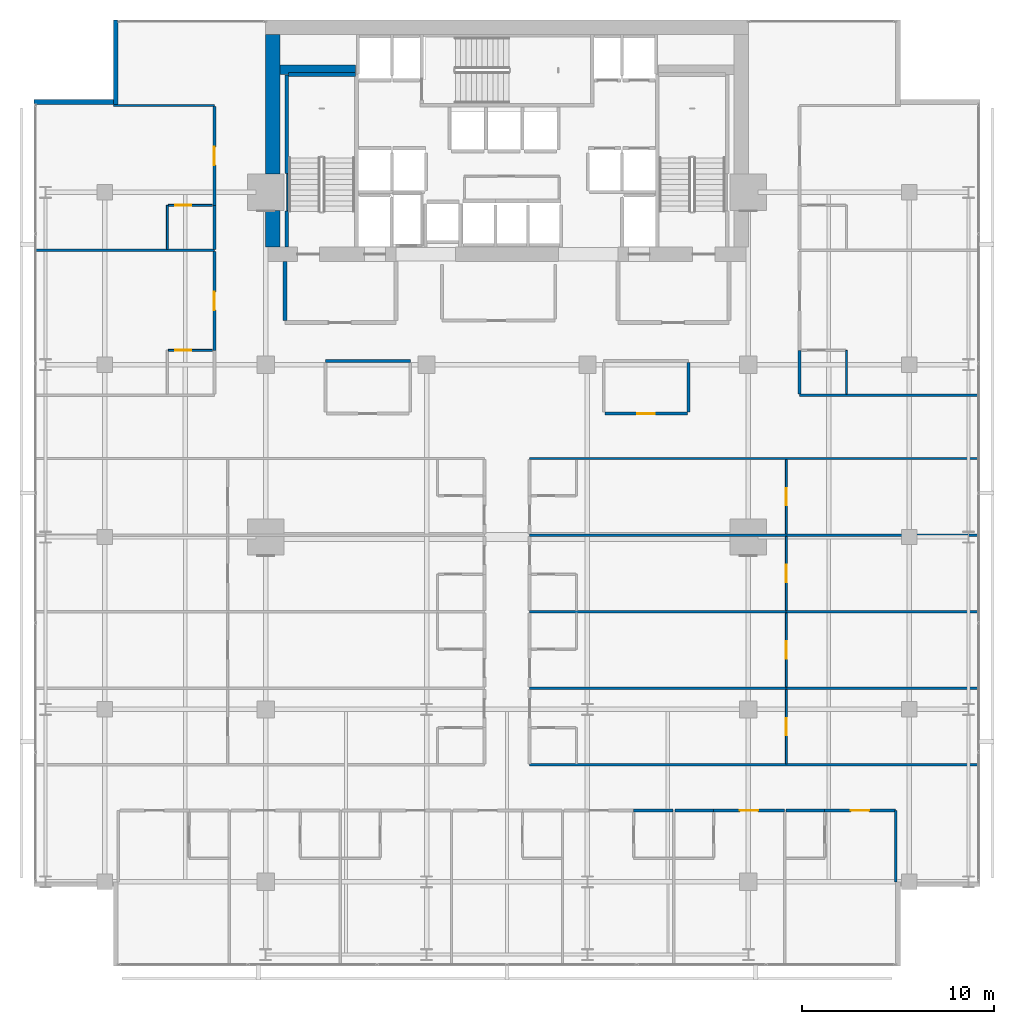
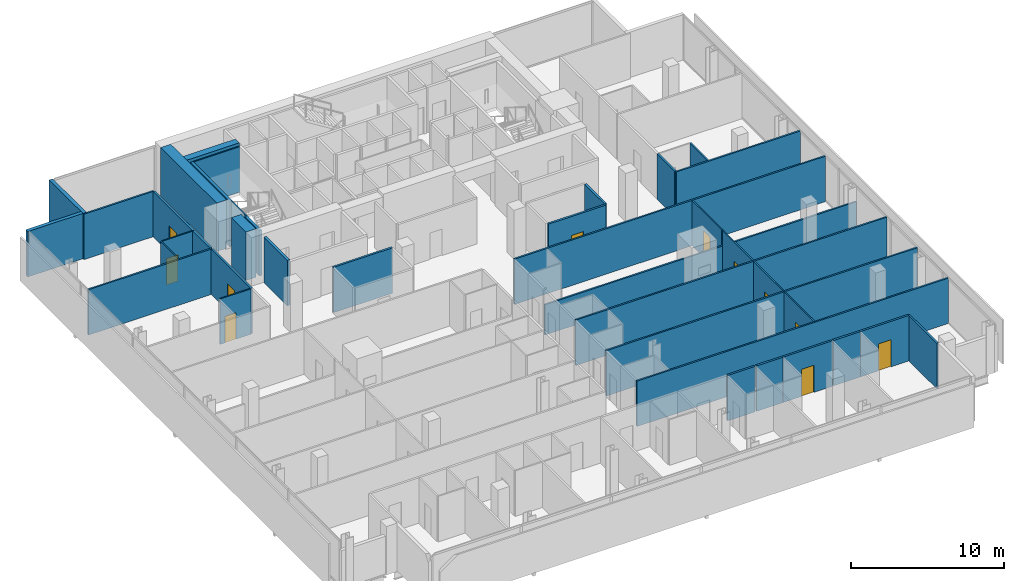
# One storey, part 29 of 34: 39 walls, 11 doors, 11 openings.
"""IFC4 building model written with IfcOpenShell, lengths in metres."""

from ifc_helpers import new_model, si_unit, direction, frame, frame_2d, origin, place, context, subcontext, project, spatial, rectangle, extrude, material, layer, layer_set, type_object, element, fill, save


model = new_model("IFC4")

# Units and contexts
model_context = context("Model", 3, precision=1e-05, world=origin(), true_north=direction((0.0, 1.0)))
body_context = subcontext(model_context, "Body", "Model", "MODEL_VIEW")
ifc_project = project(units=[si_unit("LENGTHUNIT", "METRE"), si_unit("AREAUNIT", "SQUARE_METRE"), si_unit("VOLUMEUNIT", "CUBIC_METRE"), si_unit("PLANEANGLEUNIT", "RADIAN"), si_unit("MASSUNIT", "GRAM", prefix="KILO")], contexts=[model_context])

# Site, building, storey
site_placement = place(None, origin())
site = spatial("IfcSite", under=ifc_project, at=site_placement, CompositionType="ELEMENT")
building_placement = place(site_placement, origin())
building = spatial("IfcBuilding", under=site, at=building_placement, Name="Maruvema Waterfront Hotel and Observation Tower", CompositionType="ELEMENT")
storey_placement = place(building_placement, frame((0.0, 0.0, 127.39990234375)))
storey = spatial("IfcBuildingStorey", under=building, at=storey_placement, Name="L30", CompositionType="ELEMENT", Elevation=127.39990234375)

# Walls
ifc_material_1 = material(Name="Twin-stud acoustic gypsum drywall", Category="gypsum")
ifc_layer_1 = layer(ifc_material_1, 0.14990234375, Name="Acoustic Corridor and Suite Demising Wall 150 mm")
ifc_layer_set_1 = layer_set([ifc_layer_1], Name="Twin-stud acoustic gypsum drywall")
wall_type_1 = type_object("IfcWallType", Name="Acoustic Corridor and Suite Demising Wall 150 mm", PredefinedType="PARTITIONING", material=ifc_layer_set_1)
wall_1_placement = place(storey_placement, frame((28.320068359375, 36.199951171875, 0.0), z_axis=(0.0, 0.0, 1.0), x_axis=(1.0, 0.0, 0.0)))
element("IfcWall", 1, at=wall_1_placement, inside=storey, type_object=wall_type_1, Name="L30 L30-M1 Back Wall 016", PredefinedType="PARTITIONING", context=body_context, shape_type="SweptSolid", body=[
    extrude(rectangle(XDim=4.429931640625, YDim=0.14990234375, at=frame_2d((2.21484375, 0.0))), origin(), (0.0, 0.0, 1.0), 3.610107421875),
])
wall_2_placement = place(storey_placement, frame((47.280029296875, 33.530029296875, 0.0), z_axis=(0.0, 0.0, 1.0), x_axis=(0.0, 1.0, 0.0)))
element("IfcWall", 2, at=wall_2_placement, inside=storey, type_object=wall_type_1, Name="L30 L30-M2 East Wall 022", PredefinedType="PARTITIONING", context=body_context, shape_type="SweptSolid", body=[
    extrude(rectangle(XDim=2.590087890625, YDim=0.14990234375, at=frame_2d((1.294921875, 0.0))), origin(), (0.0, 0.0, 1.0), 3.610107421875),
])

# Wall, opening, door
wall_3_placement = place(storey_placement, frame((42.909912109375, 33.449951171875, 0.0), z_axis=(0.0, 0.0, 1.0), x_axis=(1.0, 0.0, 0.0)))
wall_3 = element("IfcWall", 3, at=wall_3_placement, inside=storey, type_object=wall_type_1, Name="L30 L30-M2 Front 1 023", PredefinedType="PARTITIONING", context=body_context, shape_type="SweptSolid", body=[
    extrude(rectangle(XDim=4.31005859375, YDim=0.14990234375, at=frame_2d((2.155029296875, 0.0))), origin(), (0.0, 0.0, 1.0), 3.610107421875),
])
opening_1_placement = place(wall_3_placement, frame((1.705078125, 0.0, 0.0)))
opening_1 = element("IfcOpeningElement", 4, at=opening_1_placement, cuts=wall_3, Name="Opening DR-090", PredefinedType="OPENING", context=body_context, shape_type="SweptSolid", body=[
    extrude(rectangle(XDim=0.89990234375, YDim=2.10009765625, at=frame_2d((0.449951171875, 1.050048828125))), frame((0.0, 0.0849609375, 0.0), z_axis=(0.0, -1.0, 0.0), x_axis=(1.0, 0.0, 0.0)), (0.0, 0.0, 1.0), 0.169921875),
])
ifc_material_2 = material(Name="Solid-core lacquered timber leaf", Category="wood")
door_type_1 = type_object("IfcDoorType", Name="Accessible Toilet and Room Door 900x2100 mm", OperationType="NOTDEFINED", PredefinedType="DOOR", material=ifc_material_2)
door_1_placement = place(opening_1_placement, frame((0.89990234375, 0.0, 0.0), z_axis=(0.0, 0.0, 1.0), x_axis=(-1.0, 0.0, 0.0)))
door_1 = element("IfcDoor", 5, at=door_1_placement, inside=storey, type_object=door_type_1, Name="L30 Business Office 1 Door", OperationType="SINGLE_SWING_RIGHT", OverallHeight=2.10009765625, OverallWidth=0.89990234375, PredefinedType="DOOR", context=body_context, shape_type="SweptSolid", body=[
    extrude(rectangle(XDim=0.89990234375, YDim=2.10009765625, at=frame_2d((0.449951171875, 1.050048828125))), frame((0.0, 0.02490234375, 0.0), z_axis=(0.0, -1.0, 0.0), x_axis=(1.0, 0.0, 0.0)), (0.0, 0.0, 1.0), 0.050048828125),
])
fill(opening_1, door_1)

# Walls
wall_4_placement = place(storey_placement, frame((44.409912109375, 12.719970703125, 0.0), z_axis=(0.0, 0.0, 1.0), x_axis=(1.0, 0.0, 0.0)))
element("IfcWall", 6, at=wall_4_placement, inside=storey, type_object=wall_type_1, Name="L30 Bath L30-S5 Back Wall 046", PredefinedType="PARTITIONING", context=body_context, shape_type="SweptSolid", body=[
    extrude(rectangle(XDim=2.070068359375, YDim=0.14990234375, at=frame_2d((1.03515625, 0.0))), origin(), (0.0, 0.0, 1.0), 3.610107421875),
])
wall_5_placement = place(storey_placement, frame((46.580078125, 12.719970703125, 0.0), z_axis=(0.0, 0.0, 1.0), x_axis=(1.0, 0.0, 0.0)))
element("IfcWall", 7, at=wall_5_placement, inside=storey, type_object=wall_type_1, Name="L30 Bath L30-S6 Back Wall 051", PredefinedType="PARTITIONING", context=body_context, shape_type="SweptSolid", body=[
    extrude(rectangle(XDim=2.010009765625, YDim=0.14990234375, at=frame_2d((1.0048828125, 0.0))), origin(), (0.0, 0.0, 1.0), 3.610107421875),
])

# Wall, opening, door
wall_6_placement = place(storey_placement, frame((48.590087890625, 12.719970703125, 0.0), z_axis=(0.0, 0.0, 1.0), x_axis=(1.0, 0.0, 0.0)))
wall_6 = element("IfcWall", 8, at=wall_6_placement, inside=storey, type_object=wall_type_1, Name="L30 Unit L30-S6 Corridor Wall 054", PredefinedType="PARTITIONING", context=body_context, shape_type="SweptSolid", body=[
    extrude(rectangle(XDim=3.68994140625, YDim=0.14990234375, at=frame_2d((1.844970703125, 0.0))), origin(), (0.0, 0.0, 1.0), 3.610107421875),
])
opening_2_placement = place(wall_6_placement, frame((1.3701171875, 0.0, 0.0)))
opening_2 = element("IfcOpeningElement", 9, at=opening_2_placement, cuts=wall_6, Name="Opening DR-095", PredefinedType="OPENING", context=body_context, shape_type="SweptSolid", body=[
    extrude(rectangle(XDim=0.949951171875, YDim=2.14990234375, at=frame_2d((0.47509765625, 1.074951171875))), frame((0.0, 0.0849609375, 0.0), z_axis=(0.0, -1.0, 0.0), x_axis=(1.0, 0.0, 0.0)), (0.0, 0.0, 1.0), 0.169921875),
])
ifc_material_3 = material(Name="Acoustic solid-core hardwood timber leaf", Category="wood")
door_type_2 = type_object("IfcDoorType", Name="Guestroom Entrance Fire Door 950x2150 mm", OperationType="NOTDEFINED", PredefinedType="DOOR", material=ifc_material_3)
door_2_placement = place(opening_2_placement, frame((0.949951171875, 0.0, 0.0), z_axis=(0.0, 0.0, 1.0), x_axis=(-1.0, 0.0, 0.0)))
door_2 = element("IfcDoor", 10, at=door_2_placement, inside=storey, type_object=door_type_2, Name="L30 Unit L30-S6 Entrance Door", OperationType="SINGLE_SWING_RIGHT", OverallHeight=2.14990234375, OverallWidth=0.949951171875, PredefinedType="DOOR", context=body_context, shape_type="SweptSolid", body=[
    extrude(rectangle(XDim=0.949951171875, YDim=2.14990234375, at=frame_2d((0.47509765625, 1.074951171875))), frame((0.0, 0.02490234375, 0.0), z_axis=(0.0, -1.0, 0.0), x_axis=(1.0, 0.0, 0.0)), (0.0, 0.0, 1.0), 0.050048828125),
])
fill(opening_2, door_2)

# Wall
wall_7_placement = place(storey_placement, frame((52.3798828125, 12.719970703125, 0.0), z_axis=(0.0, 0.0, 1.0), x_axis=(1.0, 0.0, 0.0)))
element("IfcWall", 11, at=wall_7_placement, inside=storey, type_object=wall_type_1, Name="L30 Bath L30-S7 Back Wall 056", PredefinedType="PARTITIONING", context=body_context, shape_type="SweptSolid", body=[
    extrude(rectangle(XDim=2.010009765625, YDim=0.14990234375, at=frame_2d((1.0048828125, 0.0))), origin(), (0.0, 0.0, 1.0), 3.610107421875),
])

# Wall, opening, door
wall_8_placement = place(storey_placement, frame((54.389892578125, 12.719970703125, 0.0), z_axis=(0.0, 0.0, 1.0), x_axis=(1.0, 0.0, 0.0)))
wall_8 = element("IfcWall", 12, at=wall_8_placement, inside=storey, type_object=wall_type_1, Name="L30 Unit L30-S7 Corridor Wall 059", PredefinedType="PARTITIONING", context=body_context, shape_type="SweptSolid", body=[
    extrude(rectangle(XDim=3.690185546875, YDim=0.14990234375, at=frame_2d((1.84521484375, 0.0))), origin(), (0.0, 0.0, 1.0), 3.610107421875),
])
opening_3_placement = place(wall_8_placement, frame((1.3701171875, 0.0, 0.0)))
opening_3 = element("IfcOpeningElement", 13, at=opening_3_placement, cuts=wall_8, Name="Opening DR-095", PredefinedType="OPENING", context=body_context, shape_type="SweptSolid", body=[
    extrude(rectangle(XDim=0.949951171875, YDim=2.14990234375, at=frame_2d((0.47509765625, 1.074951171875))), frame((0.0, 0.0849609375, 0.0), z_axis=(0.0, -1.0, 0.0), x_axis=(1.0, 0.0, 0.0)), (0.0, 0.0, 1.0), 0.169921875),
])
door_3_placement = place(opening_3_placement, frame((0.949951171875, 0.0, 0.0), z_axis=(0.0, 0.0, 1.0), x_axis=(-1.0, 0.0, 0.0)))
door_3 = element("IfcDoor", 14, at=door_3_placement, inside=storey, type_object=door_type_2, Name="L30 Unit L30-S7 Entrance Door", OperationType="SINGLE_SWING_RIGHT", OverallHeight=2.14990234375, OverallWidth=0.949951171875, PredefinedType="DOOR", context=body_context, shape_type="SweptSolid", body=[
    extrude(rectangle(XDim=0.949951171875, YDim=2.14990234375, at=frame_2d((0.47509765625, 1.074951171875))), frame((0.0, 0.02490234375, 0.0), z_axis=(0.0, -1.0, 0.0), x_axis=(1.0, 0.0, 0.0)), (0.0, 0.0, 1.0), 0.050048828125),
])
fill(opening_3, door_3)

wall_9_placement = place(storey_placement, frame((22.52001953125, 36.75, 0.0), z_axis=(0.0, 0.0, 1.0), x_axis=(0.0, 1.0, 0.0)))
wall_9 = element("IfcWall", 15, at=wall_9_placement, inside=storey, type_object=wall_type_1, Name="L30 Room L30-NW1 Corridor Wall 115", PredefinedType="PARTITIONING", context=body_context, shape_type="SweptSolid", body=[
    extrude(rectangle(XDim=5.15869140625, YDim=0.14990234375, at=frame_2d((2.579345703125, 0.0))), origin(), (0.0, 0.0, 1.0), 3.610107421875),
])
opening_4_placement = place(wall_9_placement, frame((2.1044921875, 0.0, 0.0)))
opening_4 = element("IfcOpeningElement", 16, at=opening_4_placement, cuts=wall_9, Name="Opening DR-095", PredefinedType="OPENING", context=body_context, shape_type="SweptSolid", body=[
    extrude(rectangle(XDim=0.949951171875, YDim=2.14990234375, at=frame_2d((0.47509765625, 1.074951171875))), frame((0.0, 0.0849609375, 0.0), z_axis=(0.0, -1.0, 0.0), x_axis=(1.0, 0.0, 0.0)), (0.0, 0.0, 1.0), 0.169921875),
])
door_4_placement = place(opening_4_placement, origin())
door_4 = element("IfcDoor", 17, at=door_4_placement, inside=storey, type_object=door_type_2, Name="L30 Room L30-NW1 Entrance Door", OperationType="SINGLE_SWING_RIGHT", OverallHeight=2.14990234375, OverallWidth=0.949951171875, PredefinedType="DOOR", context=body_context, shape_type="SweptSolid", body=[
    extrude(rectangle(XDim=0.949951171875, YDim=2.14990234375, at=frame_2d((0.47509765625, 1.074951171875))), frame((0.0, 0.02490234375, 0.0), z_axis=(0.0, -1.0, 0.0), x_axis=(1.0, 0.0, 0.0)), (0.0, 0.0, 1.0), 0.050048828125),
])
fill(opening_4, door_4)

# Walls
for number, where, z_axis, x_axis, name in (
    (18, (53.080078125, 34.4599609375, 0.0), (0.0, 0.0, 1.0), (0.0, 1.0, 0.0), "L30 Bath L30-NE1 Wall 118"),
    (19, (22.52001953125, 42.02880859375, 0.0), (0.0, 0.0, 1.0), (0.0, 1.0, 0.0), "L30 Bath L30-NW2 Wall 124"),
):
    element("IfcWall", number, at=place(storey_placement, frame(where, z_axis=z_axis, x_axis=x_axis)), inside=storey, type_object=wall_type_1, Name=name, PredefinedType="PARTITIONING", context=body_context, shape_type="SweptSolid", body=[
        extrude(rectangle(XDim=2.2900390625, YDim=0.14990234375, at=frame_2d((1.14501953125, 0.0))), origin(), (0.0, 0.0, 1.0), 3.610107421875),
    ])

# Wall, opening, door
wall_10_placement = place(storey_placement, frame((22.52001953125, 44.31884765625, 0.0), z_axis=(0.0, 0.0, 1.0), x_axis=(0.0, 1.0, 0.0)))
wall_10 = element("IfcWall", 20, at=wall_10_placement, inside=storey, type_object=wall_type_1, Name="L30 Room L30-NW2 Corridor Wall 125", PredefinedType="PARTITIONING", context=body_context, shape_type="SweptSolid", body=[
    extrude(rectangle(XDim=5.15869140625, YDim=0.14990234375, at=frame_2d((2.579345703125, 0.0))), origin(), (0.0, 0.0, 1.0), 3.610107421875),
])
opening_5_placement = place(wall_10_placement, frame((2.104248046875, 0.0, 0.0)))
opening_5 = element("IfcOpeningElement", 21, at=opening_5_placement, cuts=wall_10, Name="Opening DR-095", PredefinedType="OPENING", context=body_context, shape_type="SweptSolid", body=[
    extrude(rectangle(XDim=0.949951171875, YDim=2.14990234375, at=frame_2d((0.47509765625, 1.074951171875))), frame((0.0, 0.0849609375, 0.0), z_axis=(0.0, -1.0, 0.0), x_axis=(1.0, 0.0, 0.0)), (0.0, 0.0, 1.0), 0.169921875),
])
door_5_placement = place(opening_5_placement, origin())
door_5 = element("IfcDoor", 22, at=door_5_placement, inside=storey, type_object=door_type_2, Name="L30 Room L30-NW2 Entrance Door", OperationType="SINGLE_SWING_RIGHT", OverallHeight=2.14990234375, OverallWidth=0.949951171875, PredefinedType="DOOR", context=body_context, shape_type="SweptSolid", body=[
    extrude(rectangle(XDim=0.949951171875, YDim=2.14990234375, at=frame_2d((0.47509765625, 1.074951171875))), frame((0.0, 0.02490234375, 0.0), z_axis=(0.0, -1.0, 0.0), x_axis=(1.0, 0.0, 0.0)), (0.0, 0.0, 1.0), 0.050048828125),
])
fill(opening_5, door_5)

# Walls
ifc_material_4 = material(Name="Precast concrete C45/55", Category="concrete")
ifc_layer_2 = layer(ifc_material_4, 0.199951171875, Name="Core Shaft and Stairwell Enclosure Wall 200 mm")
ifc_layer_set_2 = layer_set([ifc_layer_2], Name="Precast concrete C45/55")
wall_type_2 = type_object("IfcWallType", Name="Core Shaft and Stairwell Enclosure Wall 200 mm", PredefinedType="SOLIDWALL", material=ifc_layer_set_2)
wall_11_placement = place(storey_placement, frame((26.300048828125, 42.14990234375, 0.0), z_axis=(0.0, 0.0, 1.0), x_axis=(0.0, 1.0, 0.0)))
element("IfcWall", 23, at=wall_11_placement, inside=storey, type_object=wall_type_2, Name="L30 Stairwell ST-01 Shaft Lining Wall", PredefinedType="SOLIDWALL", context=body_context, shape_type="SweptSolid", body=[
    extrude(rectangle(XDim=1.8701171875, YDim=0.199951171875, at=frame_2d((0.93505859375, 0.0))), origin(), (0.0, 0.0, 1.0), 3.610107421875),
])
wall_12_placement = place(storey_placement, frame((26.300048828125, 45.97998046875, 0.0), z_axis=(0.0, 0.0, 1.0), x_axis=(0.0, 1.0, 0.0)))
element("IfcWall", 24, at=wall_12_placement, inside=storey, type_object=wall_type_2, Name="L30 Stairwell ST-01 Shaft Lining Wall", PredefinedType="SOLIDWALL", context=body_context, shape_type="SweptSolid", body=[
    extrude(rectangle(XDim=5.14013671875, YDim=0.199951171875, at=frame_2d((2.570068359375, 0.0))), origin(), (0.0, 0.0, 1.0), 3.610107421875),
])
wall_13_placement = place(storey_placement, frame((26.3798828125, 51.14990234375, 0.0), z_axis=(0.0, 0.0, 1.0), x_axis=(1.0, 0.0, 0.0)))
element("IfcWall", 25, at=wall_13_placement, inside=storey, type_object=wall_type_2, Name="L30 Stairwell ST-01 Shaft Lining Wall", PredefinedType="SOLIDWALL", context=body_context, shape_type="SweptSolid", body=[
    extrude(rectangle(XDim=3.5, YDim=0.199951171875, at=frame_2d((1.75, 0.0))), origin(), (0.0, 0.0, 1.0), 3.610107421875),
])
ifc_material_5 = material(Name="Concrete C70/85", Category="concrete")
ifc_layer_3 = layer(ifc_material_5, 0.5, Name="Core Shear Wall 500 mm")
ifc_layer_set_3 = layer_set([ifc_layer_3], Name="Concrete C70/85")
wall_type_3 = type_object("IfcWallType", Name="Core Shear Wall 500 mm", PredefinedType="SHEAR", material=ifc_layer_set_3)
wall_14_placement = place(storey_placement, frame((25.949951171875, 51.39990234375, 0.0), z_axis=(0.0, 0.0, 1.0), x_axis=(1.0, 0.0, 0.0)))
element("IfcWall", 26, at=wall_14_placement, inside=storey, type_object=wall_type_3, Name="L30 Internal Core Shear Wall NW 500 mm", PredefinedType="SHEAR", context=body_context, shape_type="SweptSolid", body=[
    extrude(rectangle(XDim=3.949951171875, YDim=0.5, at=frame_2d((1.97509765625, 0.0))), origin(), (0.0, 0.0, 1.0), 3.85009765625),
])
ifc_material_6 = material(Name="Concrete C70/85", Category="concrete")
ifc_layer_4 = layer(ifc_material_6, 0.75, Name="Core Shear Wall 750 mm")
ifc_layer_set_4 = layer_set([ifc_layer_4], Name="Concrete C70/85")
wall_type_4 = type_object("IfcWallType", Name="Core Shear Wall 750 mm", PredefinedType="SHEAR", material=ifc_layer_set_4)
wall_15_placement = place(storey_placement, frame((25.574951171875, 42.14990234375, 0.0), z_axis=(0.0, 0.0, 1.0), x_axis=(0.0, 1.0, 0.0)))
element("IfcWall", 27, at=wall_15_placement, inside=storey, type_object=wall_type_4, Name="L30 West-South Core Shear Wall", PredefinedType="SHEAR", context=body_context, shape_type="SweptSolid", body=[
    extrude(rectangle(XDim=1.900146484375, YDim=0.75, at=frame_2d((0.9501953125, 0.0))), origin(), (0.0, 0.0, 1.0), 3.85009765625),
])
wall_16_placement = place(storey_placement, frame((25.574951171875, 45.949951171875, 0.0), z_axis=(0.0, 0.0, 1.0), x_axis=(0.0, 1.0, 0.0)))
element("IfcWall", 28, at=wall_16_placement, inside=storey, type_object=wall_type_4, Name="L30 West-North Core Shear Wall", PredefinedType="SHEAR", context=body_context, shape_type="SweptSolid", body=[
    extrude(rectangle(XDim=7.300048828125, YDim=0.75, at=frame_2d((3.64990234375, 0.0))), origin(), (0.0, 0.0, 1.0), 3.85009765625),
])

# Wall, opening, door
ifc_material_7 = material(Name="Moisture-resistant cement-board drywall", Category="gypsum")
ifc_layer_5 = layer(ifc_material_7, 0.10009765625, Name="En-Suite Moisture-Resistant Partition 100 mm")
ifc_layer_set_5 = layer_set([ifc_layer_5], Name="Moisture-resistant cement-board drywall")
wall_type_5 = type_object("IfcWallType", Name="En-Suite Moisture-Resistant Partition 100 mm", PredefinedType="PARTITIONING", material=ifc_layer_set_5)
wall_17_placement = place(storey_placement, frame((52.386474609375, 15.159912109375, 0.0), z_axis=(0.0, 0.0, 1.0), x_axis=(0.0, 1.0, 0.0)))
wall_17 = element("IfcWall", 29, at=wall_17_placement, inside=storey, type_object=wall_type_5, Name="L30 Suite L30-E1 Split 073", PredefinedType="PARTITIONING", context=body_context, shape_type="SweptSolid", body=[
    extrude(rectangle(XDim=3.880126953125, YDim=0.10009765625, at=frame_2d((1.93994140625, 0.0))), origin(), (0.0, 0.0, 1.0), 3.610107421875),
])
opening_6_placement = place(wall_17_placement, frame((1.489990234375, 0.0, 0.0)))
opening_6 = element("IfcOpeningElement", 30, at=opening_6_placement, cuts=wall_17, Name="Opening DR-090", PredefinedType="OPENING", context=body_context, shape_type="SweptSolid", body=[
    extrude(rectangle(XDim=0.89990234375, YDim=2.10009765625, at=frame_2d((0.449951171875, 1.050048828125))), frame((0.0, 0.06005859375, 0.0), z_axis=(0.0, -1.0, 0.0), x_axis=(1.0, 0.0, 0.0)), (0.0, 0.0, 1.0), 0.1201171875),
])
door_6_placement = place(opening_6_placement, frame((0.89990234375, 0.0, 0.0), z_axis=(0.0, 0.0, 1.0), x_axis=(-1.0, 0.0, 0.0)))
door_6 = element("IfcDoor", 31, at=door_6_placement, inside=storey, type_object=door_type_1, Name="L30 Suite L30-E1 Bedroom Door", OperationType="SINGLE_SWING_RIGHT", OverallHeight=2.10009765625, OverallWidth=0.89990234375, PredefinedType="DOOR", context=body_context, shape_type="SweptSolid", body=[
    extrude(rectangle(XDim=0.89990234375, YDim=2.10009765625, at=frame_2d((0.449951171875, 1.050048828125))), frame((0.0, 0.02490234375, 0.0), z_axis=(0.0, -1.0, 0.0), x_axis=(1.0, 0.0, 0.0)), (0.0, 0.0, 1.0), 0.050048828125),
])
fill(opening_6, door_6)

wall_18_placement = place(storey_placement, frame((52.386474609375, 19.159912109375, 0.0), z_axis=(0.0, 0.0, 1.0), x_axis=(0.0, 1.0, 0.0)))
wall_18 = element("IfcWall", 32, at=wall_18_placement, inside=storey, type_object=wall_type_5, Name="L30 Suite L30-E2 Split 085", PredefinedType="PARTITIONING", context=body_context, shape_type="SweptSolid", body=[
    extrude(rectangle(XDim=3.880126953125, YDim=0.10009765625, at=frame_2d((1.93994140625, 0.0))), origin(), (0.0, 0.0, 1.0), 3.610107421875),
])
opening_7_placement = place(wall_18_placement, frame((1.489990234375, 0.0, 0.0)))
opening_7 = element("IfcOpeningElement", 33, at=opening_7_placement, cuts=wall_18, Name="Opening DR-090", PredefinedType="OPENING", context=body_context, shape_type="SweptSolid", body=[
    extrude(rectangle(XDim=0.89990234375, YDim=2.10009765625, at=frame_2d((0.449951171875, 1.050048828125))), frame((0.0, 0.06005859375, 0.0), z_axis=(0.0, -1.0, 0.0), x_axis=(1.0, 0.0, 0.0)), (0.0, 0.0, 1.0), 0.1201171875),
])
door_7_placement = place(opening_7_placement, frame((0.89990234375, 0.0, 0.0), z_axis=(0.0, 0.0, 1.0), x_axis=(-1.0, 0.0, 0.0)))
door_7 = element("IfcDoor", 34, at=door_7_placement, inside=storey, type_object=door_type_1, Name="L30 Suite L30-E2 Bedroom Door", OperationType="SINGLE_SWING_RIGHT", OverallHeight=2.10009765625, OverallWidth=0.89990234375, PredefinedType="DOOR", context=body_context, shape_type="SweptSolid", body=[
    extrude(rectangle(XDim=0.89990234375, YDim=2.10009765625, at=frame_2d((0.449951171875, 1.050048828125))), frame((0.0, 0.02490234375, 0.0), z_axis=(0.0, -1.0, 0.0), x_axis=(1.0, 0.0, 0.0)), (0.0, 0.0, 1.0), 0.050048828125),
])
fill(opening_7, door_7)

wall_19_placement = place(storey_placement, frame((52.386474609375, 23.159912109375, 0.0), z_axis=(0.0, 0.0, 1.0), x_axis=(0.0, 1.0, 0.0)))
wall_19 = element("IfcWall", 35, at=wall_19_placement, inside=storey, type_object=wall_type_5, Name="L30 Suite L30-E3 Split 097", PredefinedType="PARTITIONING", context=body_context, shape_type="SweptSolid", body=[
    extrude(rectangle(XDim=3.880126953125, YDim=0.10009765625, at=frame_2d((1.93994140625, 0.0))), origin(), (0.0, 0.0, 1.0), 3.610107421875),
])
opening_8_placement = place(wall_19_placement, frame((1.489990234375, 0.0, 0.0)))
opening_8 = element("IfcOpeningElement", 36, at=opening_8_placement, cuts=wall_19, Name="Opening DR-090", PredefinedType="OPENING", context=body_context, shape_type="SweptSolid", body=[
    extrude(rectangle(XDim=0.89990234375, YDim=2.10009765625, at=frame_2d((0.449951171875, 1.050048828125))), frame((0.0, 0.06005859375, 0.0), z_axis=(0.0, -1.0, 0.0), x_axis=(1.0, 0.0, 0.0)), (0.0, 0.0, 1.0), 0.1201171875),
])
door_8_placement = place(opening_8_placement, frame((0.89990234375, 0.0, 0.0), z_axis=(0.0, 0.0, 1.0), x_axis=(-1.0, 0.0, 0.0)))
door_8 = element("IfcDoor", 37, at=door_8_placement, inside=storey, type_object=door_type_1, Name="L30 Suite L30-E3 Bedroom Door", OperationType="SINGLE_SWING_RIGHT", OverallHeight=2.10009765625, OverallWidth=0.89990234375, PredefinedType="DOOR", context=body_context, shape_type="SweptSolid", body=[
    extrude(rectangle(XDim=0.89990234375, YDim=2.10009765625, at=frame_2d((0.449951171875, 1.050048828125))), frame((0.0, 0.02490234375, 0.0), z_axis=(0.0, -1.0, 0.0), x_axis=(1.0, 0.0, 0.0)), (0.0, 0.0, 1.0), 0.050048828125),
])
fill(opening_8, door_8)

wall_20_placement = place(storey_placement, frame((52.386474609375, 27.159912109375, 0.0), z_axis=(0.0, 0.0, 1.0), x_axis=(0.0, 1.0, 0.0)))
wall_20 = element("IfcWall", 38, at=wall_20_placement, inside=storey, type_object=wall_type_5, Name="L30 Suite L30-E4 Split 109", PredefinedType="PARTITIONING", context=body_context, shape_type="SweptSolid", body=[
    extrude(rectangle(XDim=3.880126953125, YDim=0.10009765625, at=frame_2d((1.93994140625, 0.0))), origin(), (0.0, 0.0, 1.0), 3.610107421875),
])
opening_9_placement = place(wall_20_placement, frame((1.489990234375, 0.0, 0.0)))
opening_9 = element("IfcOpeningElement", 39, at=opening_9_placement, cuts=wall_20, Name="Opening DR-090", PredefinedType="OPENING", context=body_context, shape_type="SweptSolid", body=[
    extrude(rectangle(XDim=0.89990234375, YDim=2.10009765625, at=frame_2d((0.449951171875, 1.050048828125))), frame((0.0, 0.06005859375, 0.0), z_axis=(0.0, -1.0, 0.0), x_axis=(1.0, 0.0, 0.0)), (0.0, 0.0, 1.0), 0.1201171875),
])
door_9_placement = place(opening_9_placement, frame((0.89990234375, 0.0, 0.0), z_axis=(0.0, 0.0, 1.0), x_axis=(-1.0, 0.0, 0.0)))
door_9 = element("IfcDoor", 40, at=door_9_placement, inside=storey, type_object=door_type_1, Name="L30 Suite L30-E4 Bedroom Door", OperationType="SINGLE_SWING_RIGHT", OverallHeight=2.10009765625, OverallWidth=0.89990234375, PredefinedType="DOOR", context=body_context, shape_type="SweptSolid", body=[
    extrude(rectangle(XDim=0.89990234375, YDim=2.10009765625, at=frame_2d((0.449951171875, 1.050048828125))), frame((0.0, 0.02490234375, 0.0), z_axis=(0.0, -1.0, 0.0), x_axis=(1.0, 0.0, 0.0)), (0.0, 0.0, 1.0), 0.050048828125),
])
fill(opening_9, door_9)

wall_21_placement = place(storey_placement, frame((20.1201171875, 36.75, 0.0), z_axis=(0.0, 0.0, 1.0), x_axis=(1.0, 0.0, 0.0)))
wall_21 = element("IfcWall", 41, at=wall_21_placement, inside=storey, type_object=wall_type_5, Name="L30 En-Suite L30-NW1 N 117", PredefinedType="PARTITIONING", context=body_context, shape_type="SweptSolid", body=[
    extrude(rectangle(XDim=2.2998046875, YDim=0.10009765625, at=frame_2d((1.14990234375, 0.0))), origin(), (0.0, 0.0, 1.0), 3.610107421875),
])
opening_10_placement = place(wall_21_placement, frame((0.35009765625, 0.0, 0.0)))
opening_10 = element("IfcOpeningElement", 42, at=opening_10_placement, cuts=wall_21, Name="Opening DR-085", PredefinedType="OPENING", context=body_context, shape_type="SweptSolid", body=[
    extrude(rectangle(XDim=0.85009765625, YDim=2.10009765625, at=frame_2d((0.425048828125, 1.050048828125))), frame((0.0, 0.06005859375, 0.0), z_axis=(0.0, -1.0, 0.0), x_axis=(1.0, 0.0, 0.0)), (0.0, 0.0, 1.0), 0.1201171875),
])
ifc_material_8 = material(Name="Moisture-resistant solid timber leaf", Category="wood")
door_type_3 = type_object("IfcDoorType", Name="En-Suite Bathroom Door 850x2100 mm", OperationType="NOTDEFINED", PredefinedType="DOOR", material=ifc_material_8)
door_10_placement = place(opening_10_placement, origin())
door_10 = element("IfcDoor", 43, at=door_10_placement, inside=storey, type_object=door_type_3, Name="L30 En-Suite L30-NW1 Door", OperationType="SINGLE_SWING_LEFT", OverallHeight=2.10009765625, OverallWidth=0.85009765625, PredefinedType="DOOR", context=body_context, shape_type="SweptSolid", body=[
    extrude(rectangle(XDim=0.85009765625, YDim=2.10009765625, at=frame_2d((0.425048828125, 1.050048828125))), frame((0.0, 0.02490234375, 0.0), z_axis=(0.0, -1.0, 0.0), x_axis=(1.0, 0.0, 0.0)), (0.0, 0.0, 1.0), 0.050048828125),
])
fill(opening_10, door_10)

# Walls
for number, where, z_axis, x_axis, name in (
    (44, (55.530029296875, 34.4599609375, 0.0), (0.0, 0.0, 1.0), (0.0, 1.0, 0.0), "L30 En-Suite L30-NE1 E 120"),
    (45, (20.070068359375, 42.02880859375, 0.0), (0.0, 0.0, 1.0), (0.0, 1.0, 0.0), "L30 En-Suite L30-NW2 W 126"),
):
    element("IfcWall", number, at=place(storey_placement, frame(where, z_axis=z_axis, x_axis=x_axis)), inside=storey, type_object=wall_type_5, Name=name, PredefinedType="PARTITIONING", context=body_context, shape_type="SweptSolid", body=[
        extrude(rectangle(XDim=2.2900390625, YDim=0.10009765625, at=frame_2d((1.14501953125, 0.0))), origin(), (0.0, 0.0, 1.0), 3.610107421875),
    ])

# Wall, opening, door
wall_22_placement = place(storey_placement, frame((20.1201171875, 44.31884765625, 0.0), z_axis=(0.0, 0.0, 1.0), x_axis=(1.0, 0.0, 0.0)))
wall_22 = element("IfcWall", 46, at=wall_22_placement, inside=storey, type_object=wall_type_5, Name="L30 En-Suite L30-NW2 N 127", PredefinedType="PARTITIONING", context=body_context, shape_type="SweptSolid", body=[
    extrude(rectangle(XDim=2.2998046875, YDim=0.10009765625, at=frame_2d((1.14990234375, 0.0))), origin(), (0.0, 0.0, 1.0), 3.610107421875),
])
opening_11_placement = place(wall_22_placement, frame((0.35009765625, 0.0, 0.0)))
opening_11 = element("IfcOpeningElement", 47, at=opening_11_placement, cuts=wall_22, Name="Opening DR-085", PredefinedType="OPENING", context=body_context, shape_type="SweptSolid", body=[
    extrude(rectangle(XDim=0.85009765625, YDim=2.10009765625, at=frame_2d((0.425048828125, 1.050048828125))), frame((0.0, 0.06005859375, 0.0), z_axis=(0.0, -1.0, 0.0), x_axis=(1.0, 0.0, 0.0)), (0.0, 0.0, 1.0), 0.1201171875),
])
door_11_placement = place(opening_11_placement, origin())
door_11 = element("IfcDoor", 48, at=door_11_placement, inside=storey, type_object=door_type_3, Name="L30 En-Suite L30-NW2 Door", OperationType="SINGLE_SWING_LEFT", OverallHeight=2.10009765625, OverallWidth=0.85009765625, PredefinedType="DOOR", context=body_context, shape_type="SweptSolid", body=[
    extrude(rectangle(XDim=0.85009765625, YDim=2.10009765625, at=frame_2d((0.425048828125, 1.050048828125))), frame((0.0, 0.02490234375, 0.0), z_axis=(0.0, -1.0, 0.0), x_axis=(1.0, 0.0, 0.0)), (0.0, 0.0, 1.0), 0.050048828125),
])
fill(opening_11, door_11)

# Walls
ifc_material_9 = material(Name="Precast concrete C45/55 with honed Pernambuco granite facing", Category="masonry")
ifc_layer_6 = layer(ifc_material_9, 0.260009765625, Name="Exterior Granite Clad Spandrel and Pier Wall 260 mm")
ifc_layer_set_6 = layer_set([ifc_layer_6], Name="Precast concrete C45/55 with honed Pernambuco granite facing")
wall_type_6 = type_object("IfcWallType", Name="Exterior Granite Clad Spandrel and Pier Wall 260 mm", PredefinedType="SOLIDWALL", material=ifc_layer_set_6)
for number, where, z_axis, x_axis, name in (
    (49, (17.3701171875, 49.60009765625, 0.0), (0.0, 0.0, 1.0), (0.0, 1.0, 0.0), "L30 Corner Notch Granite Pier Wall NW1"),
    (50, (13.10009765625, 49.72998046875, 0.0), (0.0, 0.0, 1.0), (1.0, 0.0, 0.0), "L30 Corner Notch Granite Pier Wall NW2"),
):
    element("IfcWall", number, at=place(storey_placement, frame(where, z_axis=z_axis, x_axis=x_axis)), inside=storey, type_object=wall_type_6, Name=name, PredefinedType="SOLIDWALL", context=body_context, shape_type="SweptSolid", body=[
        extrude(rectangle(XDim=4.39990234375, YDim=0.260009765625, at=frame_2d((2.199951171875, 0.0))), origin(), (0.0, 0.0, 1.0), 3.610107421875),
    ])
ifc_material_10 = material(Name="Autoclaved cellular concrete blockwork", Category="masonry")
ifc_layer_7 = layer(ifc_material_10, 0.199951171875, Name="Fire Compartment Masonry Wall 200 mm")
ifc_layer_set_7 = layer_set([ifc_layer_7], Name="Autoclaved cellular concrete blockwork")
wall_type_7 = type_object("IfcWallType", Name="Fire Compartment Masonry Wall 200 mm", PredefinedType="PARTITIONING", material=ifc_layer_set_7)
wall_23_placement = place(storey_placement, frame((26.199951171875, 38.31005859375, 0.0), z_axis=(0.0, 0.0, 1.0), x_axis=(0.0, 1.0, 0.0)))
element("IfcWall", 51, at=wall_23_placement, inside=storey, type_object=wall_type_7, Name="L30 FFL West West Wall 002", PredefinedType="PARTITIONING", context=body_context, shape_type="SweptSolid", body=[
    extrude(rectangle(XDim=3.06982421875, YDim=0.199951171875, at=frame_2d((1.534912109375, 0.0))), origin(), (0.0, 0.0, 1.0), 3.610107421875),
])
ifc_material_11 = material(Name="Acoustic gypsum plasterboard drywall", Category="gypsum")
ifc_layer_8 = layer(ifc_material_11, 0.125, Name="Guestroom Acoustic Demising Wall 125 mm")
ifc_layer_set_8 = layer_set([ifc_layer_8], Name="Acoustic gypsum plasterboard drywall")
wall_type_8 = type_object("IfcWallType", Name="Guestroom Acoustic Demising Wall 125 mm", PredefinedType="PARTITIONING", material=ifc_layer_set_8)
wall_24_placement = place(storey_placement, frame((58.10009765625, 9.0, 0.0), z_axis=(0.0, 0.0, 1.0), x_axis=(0.0, 1.0, 0.0)))
element("IfcWall", 52, at=wall_24_placement, inside=storey, type_object=wall_type_8, Name="L30 Z2 S East End 025", PredefinedType="PARTITIONING", context=body_context, shape_type="SweptSolid", body=[
    extrude(rectangle(XDim=3.719970703125, YDim=0.125, at=frame_2d((1.85986328125, 0.0))), origin(), (0.0, 0.0, 1.0), 3.610107421875),
])
for number, where, z_axis, x_axis, name in (
    (53, (38.97998046875, 15.10009765625, 0.0), (0.0, 0.0, 1.0), (1.0, 0.0, 0.0), "L30 Z2 E Bot End 061"),
    (54, (38.97998046875, 31.10009765625, 0.0), (0.0, 0.0, 1.0), (1.0, 0.0, 0.0), "L30 Z2 E Top End 063"),
    (55, (38.97998046875, 19.10009765625, 0.0), (0.0, 0.0, 1.0), (1.0, 0.0, 0.0), "L30 Z2 E Demising 2 075"),
    (56, (38.97998046875, 23.10009765625, 0.0), (0.0, 0.0, 1.0), (1.0, 0.0, 0.0), "L30 Z2 E Demising 3 087"),
):
    element("IfcWall", number, at=place(storey_placement, frame(where, z_axis=z_axis, x_axis=x_axis)), inside=storey, type_object=wall_type_8, Name=name, PredefinedType="PARTITIONING", context=body_context, shape_type="SweptSolid", body=[
        extrude(rectangle(XDim=23.419921875, YDim=0.125, at=frame_2d((11.7099609375, 0.0))), origin(), (0.0, 0.0, 1.0), 3.610107421875),
    ])
wall_25_placement = place(storey_placement, frame((38.97998046875, 27.10009765625, 0.0), z_axis=(0.0, 0.0, 1.0), x_axis=(1.0, 0.0, 0.0)))
element("IfcWall", 57, at=wall_25_placement, inside=storey, type_object=wall_type_8, Name="L30 Z2 E Demising 4 099", PredefinedType="PARTITIONING", context=body_context, shape_type="SweptSolid", body=[
    extrude(rectangle(XDim=23.419921875, YDim=0.125, at=frame_2d((11.7099609375, 0.0))), origin(), (0.0, 0.0, 1.0), 2.41015625),
])
wall_26_placement = place(storey_placement, frame((53.080078125, 34.39990234375, 0.0), z_axis=(0.0, 0.0, 1.0), x_axis=(1.0, 0.0, 0.0)))
element("IfcWall", 58, at=wall_26_placement, inside=storey, type_object=wall_type_8, Name="L30 Z2 NE Bot End 111", PredefinedType="PARTITIONING", context=body_context, shape_type="SweptSolid", body=[
    extrude(rectangle(XDim=9.31982421875, YDim=0.125, at=frame_2d((4.659912109375, 0.0))), origin(), (0.0, 0.0, 1.0), 3.610107421875),
])
wall_27_placement = place(storey_placement, frame((17.239990234375, 49.53759765625, 0.0), z_axis=(0.0, 0.0, 1.0), x_axis=(1.0, 0.0, 0.0)))
element("IfcWall", 59, at=wall_27_placement, inside=storey, type_object=wall_type_8, Name="L30 Z2 NW Top End 112", PredefinedType="PARTITIONING", context=body_context, shape_type="SweptSolid", body=[
    extrude(rectangle(XDim=5.280029296875, YDim=0.125, at=frame_2d((2.64013671875, 0.0))), origin(), (0.0, 0.0, 1.0), 3.610107421875),
])
wall_28_placement = place(storey_placement, frame((13.199951171875, 41.96875, 0.0), z_axis=(0.0, 0.0, 1.0), x_axis=(1.0, 0.0, 0.0)))
element("IfcWall", 60, at=wall_28_placement, inside=storey, type_object=wall_type_8, Name="L30 Z2 NW Demising 2 122", PredefinedType="PARTITIONING", context=body_context, shape_type="SweptSolid", body=[
    extrude(rectangle(XDim=9.320068359375, YDim=0.125, at=frame_2d((4.66015625, 0.0))), origin(), (0.0, 0.0, 1.0), 3.610107421875),
])
ifc_material_12 = material(Name="Precast concrete C45/55", Category="concrete")
ifc_layer_9 = layer(ifc_material_12, 0.10009765625, Name="Stairwell Stringer Cheek Wall 100 mm")
ifc_layer_set_9 = layer_set([ifc_layer_9], Name="Precast concrete C45/55")
wall_type_9 = type_object("IfcWallType", Name="Stairwell Stringer Cheek Wall 100 mm", PredefinedType="SOLIDWALL", material=ifc_layer_set_9)
wall_29_placement = place(storey_placement, frame((26.35205078125, 44.0400390625, 0.0), z_axis=(0.0, 0.0, 1.0), x_axis=(0.0, 1.0, 0.0)))
element("IfcWall", 61, at=wall_29_placement, inside=storey, type_object=wall_type_9, Name="L30 Stairwell ST-01 Mega-Column Cheek Wall", PredefinedType="SOLIDWALL", context=body_context, shape_type="SweptSolid", body=[
    extrude(rectangle(XDim=1.919921875, YDim=0.10009765625, at=frame_2d((0.9599609375, 0.0))), origin(), (0.0, 0.0, 1.0), 3.610107421875),
])

save(model, "model.ifc")
